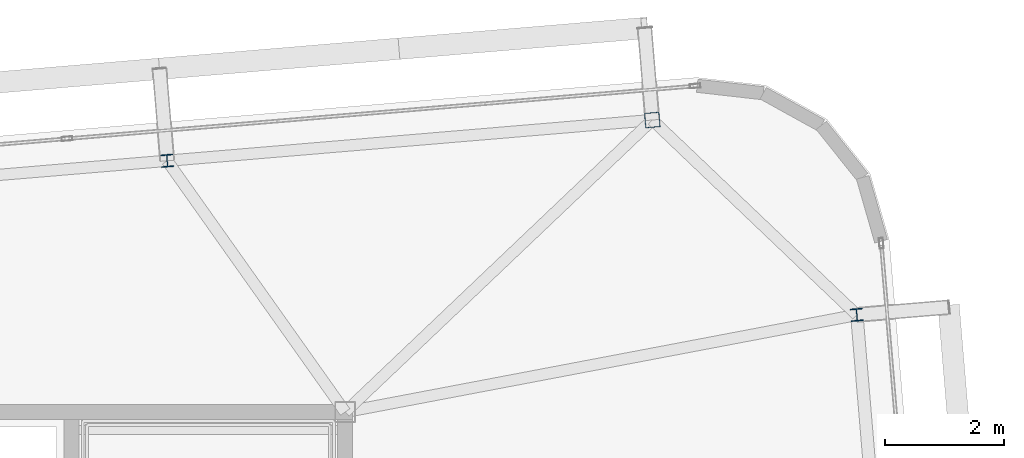
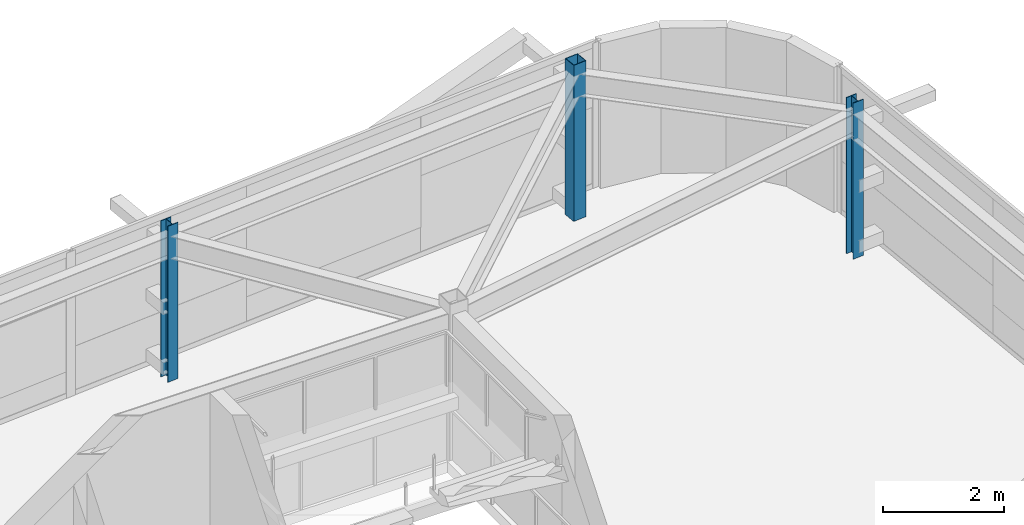
# One storey, part 6 of 39: 3 columns.
"""IFC4 building model written with IfcOpenShell, lengths in metres."""

from ifc_helpers import new_model, si_unit, direction, frame, origin, origin_2d, place, context, subcontext, project, spatial, hollow_rectangle, i_section, extrude, source, transform, mapped, material, material_profile, profile_set, type_object, element, save


model = new_model("IFC4")

# Units and contexts
model_context = context("Model", 3, precision=1e-05, world=origin(), true_north=direction((0.0, 1.0)))
body_context = subcontext(model_context, "Body", "Model", "MODEL_VIEW")
ifc_project = project(units=[si_unit("LENGTHUNIT", "METRE"), si_unit("AREAUNIT", "SQUARE_METRE"), si_unit("VOLUMEUNIT", "CUBIC_METRE"), si_unit("PLANEANGLEUNIT", "RADIAN"), si_unit("MASSUNIT", "GRAM", prefix="KILO")], contexts=[model_context])

# Site, building, storey
site_placement = place(None, origin())
site = spatial("IfcSite", under=ifc_project, at=site_placement, CompositionType="ELEMENT")
building_placement = place(site_placement, origin())
building = spatial("IfcBuilding", under=site, at=building_placement, Name="Taldren Reach Tower", CompositionType="ELEMENT")
storey_placement = place(building_placement, frame((0.0, 0.0, 197.75)))
storey = spatial("IfcBuildingStorey", under=building, at=storey_placement, Name="L60", CompositionType="ELEMENT", Elevation=197.75)

# Columns
ifc_material_1 = material(Name="Steel Gr 350 (C350L0)", Category="steel")
ifc_material_profile_1 = material_profile(ifc_material_1, hollow_rectangle(XDim=0.25, YDim=0.25, WallThickness=0.010009765625, at=origin_2d()), Name="250x250x10.0SHS")
ifc_profile_set_1 = profile_set([ifc_material_profile_1], Name="Steel Gr 350 (C350L0)")
column_type_1 = type_object("IfcColumnType", Name="COL-SHS250", PredefinedType="COLUMN", material=ifc_profile_set_1)
shared_shape_1 = source(origin(), body_context, "Body", "SweptSolid", [
    extrude(hollow_rectangle(XDim=0.25, YDim=0.25, WallThickness=0.010009765625, at=origin_2d()), origin(), (0.0, 0.0, 1.0), 3.14990234375),
])
column_placement = place(storey_placement, frame((56.160400390625, 36.906005859375, 0.0), z_axis=(0.0, 0.0, 1.0), x_axis=(0.99649285925, 0.083677843332, 0.0)))
element("IfcColumn", 1, at=column_placement, inside=storey, type_object=column_type_1, Name="Block B4 perimeter column N6 L60", PredefinedType="COLUMN", context=body_context, shape_type="MappedRepresentation", body=[
    mapped(shared_shape_1, transform((0.0, 0.0, 0.0), scale=1.0)),
])
ifc_material_2 = material(Name="Steel Gr 350 (350PLUS)", Category="steel")
ifc_material_profile_2 = material_profile(ifc_material_2, i_section(OverallWidth=0.205078125, OverallDepth=0.2099609375, WebThickness=0.00927734375, FlangeThickness=0.01416015625, at=origin_2d()), Name="200UC59.5")
ifc_profile_set_2 = profile_set([ifc_material_profile_2], Name="Steel Gr 350 (350PLUS)")
column_type_2 = type_object("IfcColumnType", Name="COL-UC200", PredefinedType="COLUMN", material=ifc_profile_set_2)
shared_shape_2 = source(origin(), body_context, "Body", "SweptSolid", [
    extrude(i_section(OverallWidth=0.205078125, OverallDepth=0.2099609375, WebThickness=0.00927734375, FlangeThickness=0.01416015625, at=origin_2d()), origin(), (0.0, 0.0, 1.0), 3.14990234375),
])
for number, where, z_axis, x_axis, name in (
    (2, (48.009033203125, 36.221435546875, 0.0), (0.0, 0.0, 1.0), (0.99649285925, 0.083677843332, 0.0), "Block B4 perimeter column N5 L60"),
    (3, (59.596435546875, 33.632080078125, 0.0), (0.0, 0.0, 1.0), (0.99649285925, 0.083677843332, 0.0), "Block B4 perimeter column E3 L60"),
):
    element("IfcColumn", number, at=place(storey_placement, frame(where, z_axis=z_axis, x_axis=x_axis)), inside=storey, type_object=column_type_2, Name=name, PredefinedType="COLUMN", context=body_context, shape_type="MappedRepresentation", body=[
        mapped(shared_shape_2, transform((0.0, 0.0, 0.0), scale=1.0)),
    ])

save(model, "model.ifc")
